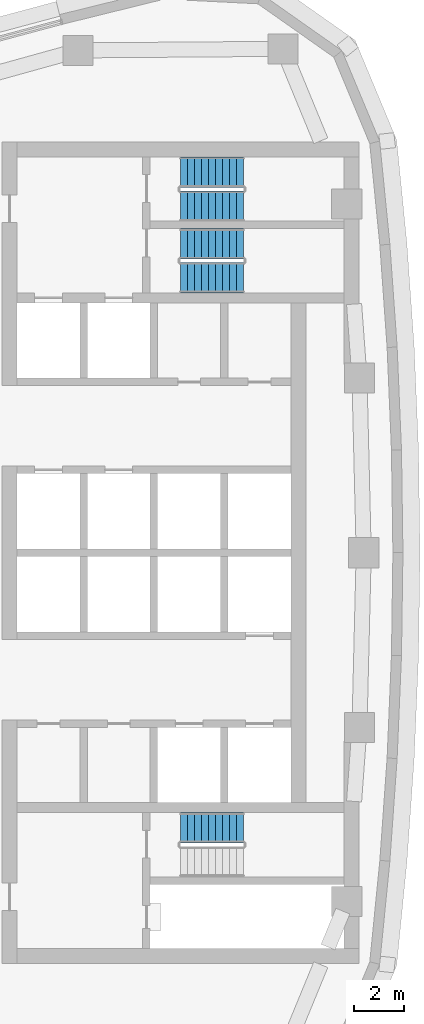
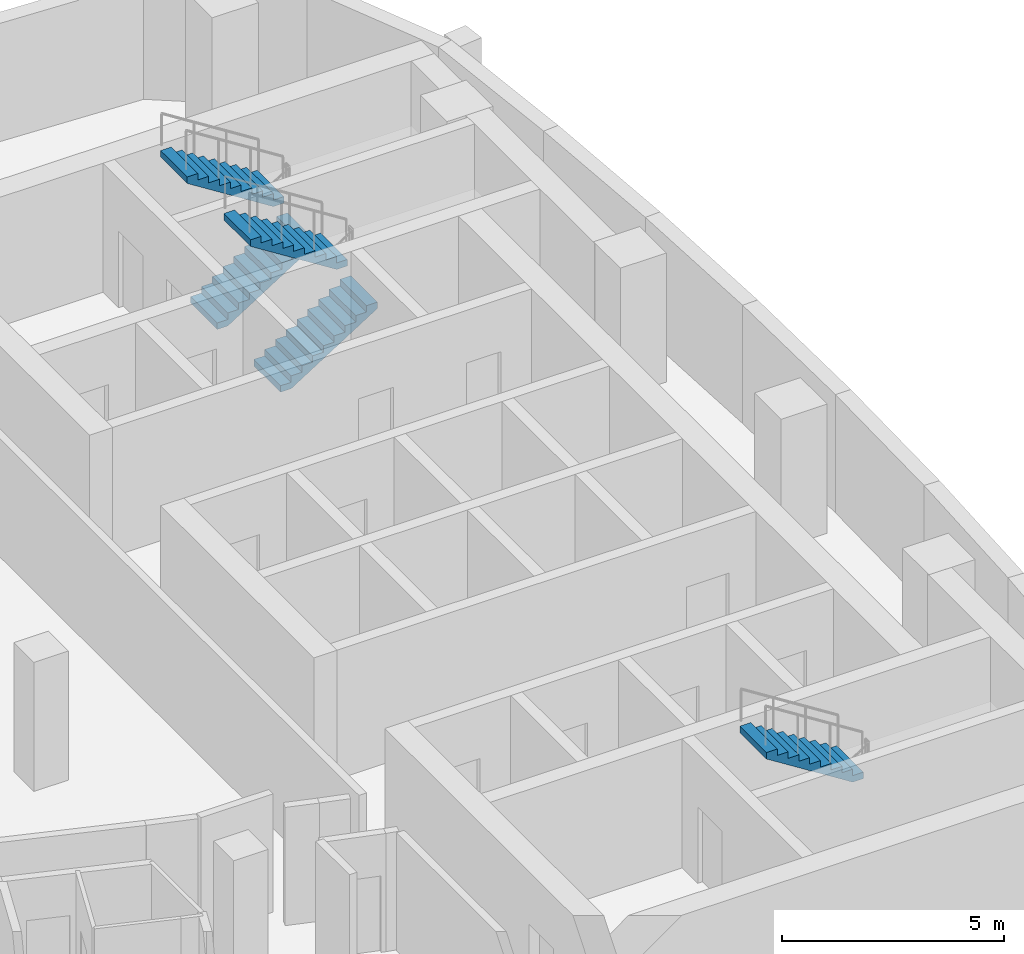
# One storey, part 12 of 16: 5 stair flights, 3 elements without a shape of their own.
"""IFC4 building model written with IfcOpenShell, lengths in metres."""

from ifc_helpers import new_model, si_unit, direction, frame, origin, place, context, subcontext, project, spatial, polyline, outline, extrude, material, type_object, element, aggregate, save


model = new_model("IFC4")

# Units and contexts
model_context = context("Model", 3, precision=1e-05, world=origin(), true_north=direction((0.0, 1.0)))
body_context = subcontext(model_context, "Body", "Model", "MODEL_VIEW")
ifc_project = project(units=[si_unit("LENGTHUNIT", "METRE"), si_unit("AREAUNIT", "SQUARE_METRE"), si_unit("VOLUMEUNIT", "CUBIC_METRE"), si_unit("PLANEANGLEUNIT", "RADIAN"), si_unit("MASSUNIT", "GRAM", prefix="KILO")], contexts=[model_context])

# Site, building, storey
site_placement = place(None, origin())
site = spatial("IfcSite", under=ifc_project, at=site_placement, CompositionType="ELEMENT")
building_placement = place(site_placement, origin())
building = spatial("IfcBuilding", under=site, at=building_placement, Name="Ostrand Prow Hotel Tower", CompositionType="ELEMENT")
storey_placement = place(building_placement, frame((0.0, 0.0, 220.800048828125)))
storey = spatial("IfcBuildingStorey", under=building, at=storey_placement, Name="L55", CompositionType="ELEMENT", Elevation=220.800048828125)

# Stair, stair flights
ifc_material_1 = material(Name="Concrete C40/50", Category="concrete")
stair_type = type_object("IfcStairType", Name="Exit stair 1200 upper zone", PredefinedType="HALF_TURN_STAIR", material=ifc_material_1)
stair_1_placement = place(storey_placement, origin())
stair_1 = element("IfcStair", 1, at=stair_1_placement, inside=storey, type_object=stair_type, Name="L55 ST1C", PredefinedType="HALF_TURN_STAIR")
ifc_material_2 = material(Name="Concrete C40/50", Category="concrete")
stair_flight_type = type_object("IfcStairFlightType", Name="Stair flight 1200 concrete", PredefinedType="STRAIGHT", material=ifc_material_2)
stair_flight_1_placement = place(storey_placement, frame((57.199951171875, 10.949951171875, 0.0), z_axis=(0.0, 0.0, 1.0), x_axis=(1.0, 0.0, 0.0)))
stair_flight_1 = element("IfcStairFlight", 2, at=stair_flight_1_placement, type_object=stair_flight_type, Name="ST1C flight 1", NumberOfRisers=10, NumberOfTreads=9, PredefinedType="STRAIGHT", RiserHeight=0.1775, TreadLength=0.28, context=body_context, shape_type="SweptSolid", body=[
    extrude(outline(polyline([(0.0, 0.0), (0.0, 0.177490234375), (0.280029296875, 0.177490234375), (0.280029296875, 0.35498046875), (0.56005859375, 0.35498046875), (0.56005859375, 0.532470703125), (0.840087890625, 0.532470703125), (0.840087890625, 0.7099609375), (1.1201171875, 0.7099609375), (1.1201171875, 0.887451171875), (1.39990234375, 0.887451171875), (1.39990234375, 1.06494140625), (1.679931640625, 1.06494140625), (1.679931640625, 1.242431640625), (1.9599609375, 1.242431640625), (1.9599609375, 1.419921875), (2.239990234375, 1.419921875), (2.239990234375, 1.597412109375), (2.52001953125, 1.597412109375), (2.52001953125, 1.77490234375), (2.52001953125, 1.419921875), (0.280029296875, 0.0), (0.0, 0.0)])), frame((0.0, 0.60009765625, 0.0), z_axis=(0.0, -1.0, 0.0), x_axis=(1.0, 0.0, 0.0)), (0.0, 0.0, 1.0), 1.199951171875),
])
stair_flight_2_placement = place(storey_placement, frame((59.719970703125, 12.300048828125, 1.77490234375), z_axis=(0.0, 0.0, 1.0), x_axis=(-1.0, 0.0, 0.0)))
stair_flight_2 = element("IfcStairFlight", 3, at=stair_flight_2_placement, type_object=stair_flight_type, Name="ST1C flight 2", NumberOfRisers=10, NumberOfTreads=9, PredefinedType="STRAIGHT", RiserHeight=0.1775, TreadLength=0.28, context=body_context, shape_type="SweptSolid", body=[
    extrude(outline(polyline([(0.0, 0.0), (0.0, 0.177490234375), (0.280029296875, 0.177490234375), (0.280029296875, 0.35498046875), (0.56005859375, 0.35498046875), (0.56005859375, 0.532470703125), (0.840087890625, 0.532470703125), (0.840087890625, 0.7099609375), (1.1201171875, 0.7099609375), (1.1201171875, 0.887451171875), (1.39990234375, 0.887451171875), (1.39990234375, 1.06494140625), (1.679931640625, 1.06494140625), (1.679931640625, 1.242431640625), (1.9599609375, 1.242431640625), (1.9599609375, 1.419921875), (2.239990234375, 1.419921875), (2.239990234375, 1.597412109375), (2.52001953125, 1.597412109375), (2.52001953125, 1.77490234375), (2.52001953125, 1.419921875), (0.280029296875, 0.0), (0.0, 0.0)])), frame((0.0, 0.60009765625, 0.0), z_axis=(0.0, -1.0, 0.0), x_axis=(1.0, 0.0, 0.0)), (0.0, 0.0, 1.0), 1.199951171875),
])
aggregate(stair_1, [stair_flight_1, stair_flight_2])

stair_2_placement = place(storey_placement, origin())
stair_2 = element("IfcStair", 4, at=stair_2_placement, inside=storey, type_object=stair_type, Name="L55 ST3C", PredefinedType="HALF_TURN_STAIR")
stair_flight_3_placement = place(storey_placement, frame((57.199951171875, 13.800048828125, 0.0), z_axis=(0.0, 0.0, 1.0), x_axis=(1.0, 0.0, 0.0)))
stair_flight_3 = element("IfcStairFlight", 5, at=stair_flight_3_placement, type_object=stair_flight_type, Name="ST3C flight 1", NumberOfRisers=10, NumberOfTreads=9, PredefinedType="STRAIGHT", RiserHeight=0.1775, TreadLength=0.28, context=body_context, shape_type="SweptSolid", body=[
    extrude(outline(polyline([(0.0, 0.0), (0.0, 0.177490234375), (0.280029296875, 0.177490234375), (0.280029296875, 0.35498046875), (0.56005859375, 0.35498046875), (0.56005859375, 0.532470703125), (0.840087890625, 0.532470703125), (0.840087890625, 0.7099609375), (1.1201171875, 0.7099609375), (1.1201171875, 0.887451171875), (1.39990234375, 0.887451171875), (1.39990234375, 1.06494140625), (1.679931640625, 1.06494140625), (1.679931640625, 1.242431640625), (1.9599609375, 1.242431640625), (1.9599609375, 1.419921875), (2.239990234375, 1.419921875), (2.239990234375, 1.597412109375), (2.52001953125, 1.597412109375), (2.52001953125, 1.77490234375), (2.52001953125, 1.419921875), (0.280029296875, 0.0), (0.0, 0.0)])), frame((0.0, 0.60009765625, 0.0), z_axis=(0.0, -1.0, 0.0), x_axis=(1.0, 0.0, 0.0)), (0.0, 0.0, 1.0), 1.199951171875),
])
stair_flight_4_placement = place(storey_placement, frame((59.719970703125, 15.14990234375, 1.77490234375), z_axis=(0.0, 0.0, 1.0), x_axis=(-1.0, 0.0, 0.0)))
stair_flight_4 = element("IfcStairFlight", 6, at=stair_flight_4_placement, type_object=stair_flight_type, Name="ST3C flight 2", NumberOfRisers=10, NumberOfTreads=9, PredefinedType="STRAIGHT", RiserHeight=0.1775, TreadLength=0.28, context=body_context, shape_type="SweptSolid", body=[
    extrude(outline(polyline([(0.0, 0.0), (0.0, 0.177490234375), (0.280029296875, 0.177490234375), (0.280029296875, 0.35498046875), (0.56005859375, 0.35498046875), (0.56005859375, 0.532470703125), (0.840087890625, 0.532470703125), (0.840087890625, 0.7099609375), (1.1201171875, 0.7099609375), (1.1201171875, 0.887451171875), (1.39990234375, 0.887451171875), (1.39990234375, 1.06494140625), (1.679931640625, 1.06494140625), (1.679931640625, 1.242431640625), (1.9599609375, 1.242431640625), (1.9599609375, 1.419921875), (2.239990234375, 1.419921875), (2.239990234375, 1.597412109375), (2.52001953125, 1.597412109375), (2.52001953125, 1.77490234375), (2.52001953125, 1.419921875), (0.280029296875, 0.0), (0.0, 0.0)])), frame((0.0, 0.60009765625, 0.0), z_axis=(0.0, -1.0, 0.0), x_axis=(1.0, 0.0, 0.0)), (0.0, 0.0, 1.0), 1.199951171875),
])
aggregate(stair_2, [stair_flight_3, stair_flight_4])

# Stair, stair flight
stair_3_placement = place(storey_placement, origin())
stair_3 = element("IfcStair", 7, at=stair_3_placement, inside=storey, type_object=stair_type, Name="L55 ST2C", PredefinedType="HALF_TURN_STAIR")
stair_flight_5_placement = place(storey_placement, frame((59.719970703125, -10.949951171875, 1.77490234375), z_axis=(0.0, 0.0, 1.0), x_axis=(-1.0, 0.0, 0.0)))
stair_flight_5 = element("IfcStairFlight", 8, at=stair_flight_5_placement, type_object=stair_flight_type, Name="ST2C flight 2", NumberOfRisers=10, NumberOfTreads=9, PredefinedType="STRAIGHT", RiserHeight=0.1775, TreadLength=0.28, context=body_context, shape_type="SweptSolid", body=[
    extrude(outline(polyline([(0.0, 0.0), (0.0, 0.177490234375), (0.280029296875, 0.177490234375), (0.280029296875, 0.35498046875), (0.56005859375, 0.35498046875), (0.56005859375, 0.532470703125), (0.840087890625, 0.532470703125), (0.840087890625, 0.7099609375), (1.1201171875, 0.7099609375), (1.1201171875, 0.887451171875), (1.39990234375, 0.887451171875), (1.39990234375, 1.06494140625), (1.679931640625, 1.06494140625), (1.679931640625, 1.242431640625), (1.9599609375, 1.242431640625), (1.9599609375, 1.419921875), (2.239990234375, 1.419921875), (2.239990234375, 1.597412109375), (2.52001953125, 1.597412109375), (2.52001953125, 1.77490234375), (2.52001953125, 1.419921875), (0.280029296875, 0.0), (0.0, 0.0)])), frame((0.0, 0.60009765625, 0.0), z_axis=(0.0, -1.0, 0.0), x_axis=(1.0, 0.0, 0.0)), (0.0, 0.0, 1.0), 1.199951171875),
])
aggregate(stair_3, [stair_flight_5])

save(model, "model.ifc")
